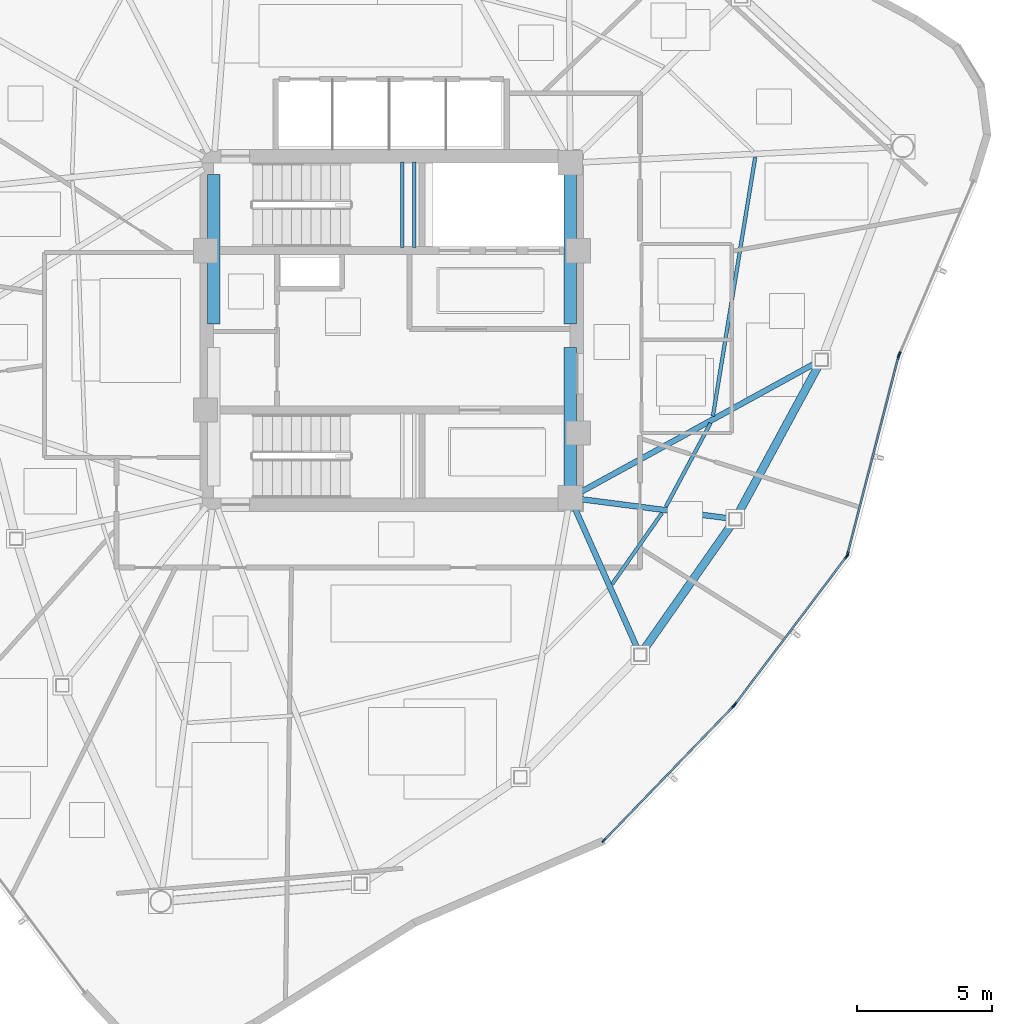
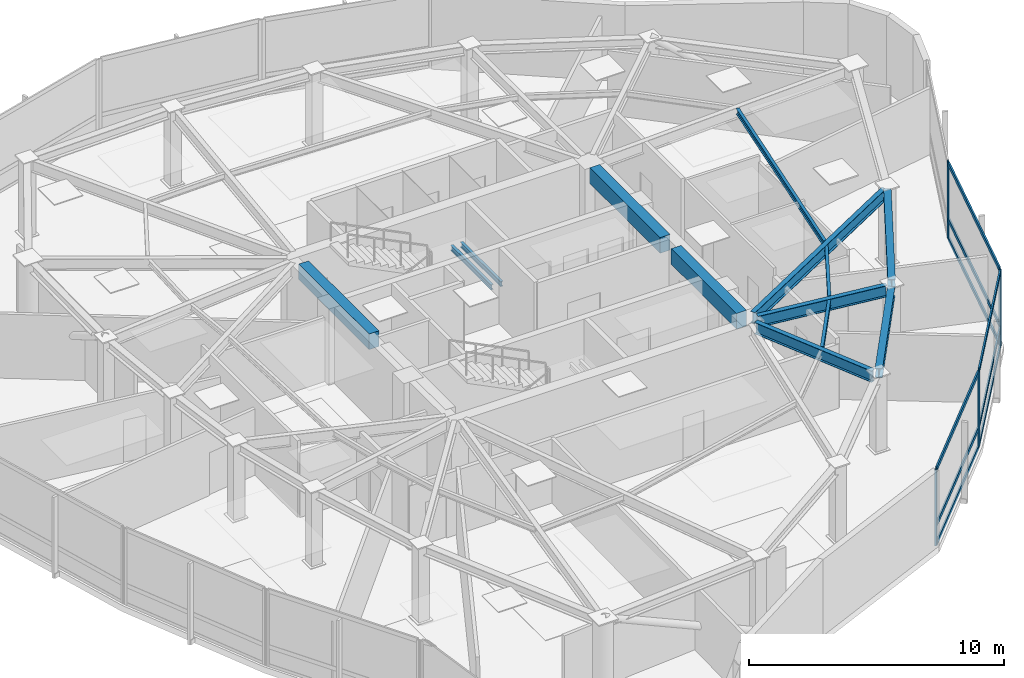
# One storey, part 4 of 14: 16 members, 13 beams, 4 elements without a shape of their own.
"""IFC4 building model written with IfcOpenShell, lengths in metres."""

from ifc_helpers import new_model, si_unit, direction, frame, origin, origin_2d, place, context, subcontext, project, spatial, rectangle, hollow_rectangle, i_section, extrude, source, transform, mapped, material, layer, layer_set, material_profile, profile_set, type_object, type_shapes, element, aggregate, save


model = new_model("IFC4")

# Units and contexts
model_context = context("Model", 3, precision=1e-05, world=origin(), true_north=direction((0.0, 1.0)))
body_context = subcontext(model_context, "Body", "Model", "MODEL_VIEW")
ifc_project = project(units=[si_unit("LENGTHUNIT", "METRE"), si_unit("AREAUNIT", "SQUARE_METRE"), si_unit("VOLUMEUNIT", "CUBIC_METRE"), si_unit("PLANEANGLEUNIT", "RADIAN"), si_unit("MASSUNIT", "GRAM", prefix="KILO")], contexts=[model_context])

# Site, building, storey
site_placement = place(None, origin())
site = spatial("IfcSite", under=ifc_project, at=site_placement, CompositionType="ELEMENT")
building_placement = place(site_placement, origin())
building = spatial("IfcBuilding", under=site, at=building_placement, Name="Tavelor Broadcast Tower", CompositionType="ELEMENT")
storey_placement = place(building_placement, frame((0.0, 0.0, 249.800048828125)))
storey = spatial("IfcBuildingStorey", under=building, at=storey_placement, Name="L59", CompositionType="ELEMENT", Elevation=249.800048828125)

# Beams
ifc_material_1 = material(Name="Concrete C40/50", Category="concrete")
ifc_material_profile_1 = material_profile(ifc_material_1, rectangle(XDim=0.449951171875, YDim=0.75, at=origin_2d()), Name="RC 450x750")
ifc_profile_set_1 = profile_set([ifc_material_profile_1], Name="Concrete C40/50")
beam_type_1 = type_object("IfcBeamType", Name="Basement Core Trim Beam 450x750", PredefinedType="BEAM", material=ifc_profile_set_1)
for number, where, z_axis, x_axis, name in (
    (1, (43.39990234375, 45.23193359375, 3.27490234375), (0.0, 1.0, 0.0), (-1.0, 0.0, 0.0), "L59 Core West-N Tie Girder"),
    (2, (56.60009765625, 45.23193359375, 3.27490234375), (0.0, 1.0, 0.0), (-1.0, 0.0, 0.0), "L59 Core East-N Tie Girder"),
):
    element("IfcBeam", number, at=place(storey_placement, frame(where, z_axis=z_axis, x_axis=x_axis)), inside=storey, type_object=beam_type_1, Name=name, PredefinedType="BEAM", context=body_context, shape_type="SweptSolid", body=[
        extrude(rectangle(XDim=0.449951171875, YDim=0.75, at=origin_2d()), origin(), (0.0, 0.0, 1.0), 5.5361328125),
    ])
beam_1_placement = place(storey_placement, frame((56.60009765625, 39.23193359375, 3.27490234375), z_axis=(0.0, 1.0, 0.0), x_axis=(-1.0, 0.0, 0.0)))
element("IfcBeam", 3, at=beam_1_placement, inside=storey, type_object=beam_type_1, Name="L59 Core East-S Tie Girder", PredefinedType="BEAM", context=body_context, shape_type="SweptSolid", body=[
    extrude(rectangle(XDim=0.449951171875, YDim=0.75, at=origin_2d()), origin(), (0.0, 0.0, 1.0), 5.135986328125),
])
ifc_material_2 = material(Name="Steel S355", Category="steel")
ifc_material_profile_2 = material_profile(ifc_material_2, i_section(OverallWidth=0.135009765625, OverallDepth=0.27001953125, WebThickness=0.006591796875, FlangeThickness=0.01025390625, at=origin_2d()), Name="IPE 270")
ifc_profile_set_2 = profile_set([ifc_material_profile_2], Name="Steel S355")
beam_type_2 = type_object("IfcBeamType", Name="Composite Floor Joist T6 IPE 270", PredefinedType="JOIST", material=ifc_profile_set_2)
beam_2_placement = place(storey_placement, frame((58.151611328125, 35.603759765625, 3.514892578125), z_axis=(0.574144058432, 0.818754297801, 0.0), x_axis=(-0.818754297801, 0.574144058432, 0.0)))
element("IfcBeam", 4, at=beam_2_placement, inside=storey, type_object=beam_type_2, Name="L59 Secondary Composite Floor Joist 10", PredefinedType="JOIST", context=body_context, shape_type="SweptSolid", body=[
    extrude(i_section(OverallWidth=0.135009765625, OverallDepth=0.27001953125, WebThickness=0.006591796875, FlangeThickness=0.01025390625, at=origin_2d()), origin(), (0.0, 0.0, 1.0), 3.2197265625),
])
beam_3_placement = place(storey_placement, frame((60.140625, 38.46826171875, 3.514892578125), z_axis=(0.471240390591, 0.882004815336, 0.0), x_axis=(-0.882004815336, 0.471240390591, 0.0)))
element("IfcBeam", 5, at=beam_3_placement, inside=storey, type_object=beam_type_2, Name="L59 Secondary Composite Floor Joist 11", PredefinedType="JOIST", context=body_context, shape_type="SweptSolid", body=[
    extrude(i_section(OverallWidth=0.135009765625, OverallDepth=0.27001953125, WebThickness=0.006591796875, FlangeThickness=0.01025390625, at=origin_2d()), origin(), (0.0, 0.0, 1.0), 3.51611328125),
])
beam_4_placement = place(storey_placement, frame((61.882568359375, 41.820556640625, 3.514892578125), z_axis=(0.161347849281, 0.986897599314, 0.0), x_axis=(-0.986897599314, 0.161347849281, 0.0)))
element("IfcBeam", 6, at=beam_4_placement, inside=storey, type_object=beam_type_2, Name="L59 Secondary Composite Floor Joist 12", PredefinedType="JOIST", context=body_context, shape_type="SweptSolid", body=[
    extrude(i_section(OverallWidth=0.135009765625, OverallDepth=0.27001953125, WebThickness=0.006591796875, FlangeThickness=0.01025390625, at=origin_2d()), origin(), (0.0, 0.0, 1.0), 9.708251953125),
])
ifc_material_profile_3 = material_profile(ifc_material_2, i_section(OverallWidth=0.300048828125, OverallDepth=0.449951171875, WebThickness=0.013916015625, FlangeThickness=0.02587890625, at=origin_2d()), Name="HEB 450")
ifc_profile_set_3 = profile_set([ifc_material_profile_3], Name="Steel S355")
beam_type_3 = type_object("IfcBeamType", Name="Perimeter Spandrel Beam T6 HEB 450", PredefinedType="SPANDREL", material=ifc_profile_set_3)
beam_5_placement = place(storey_placement, frame((59.330078125, 33.18359375, 3.425048828125), z_axis=(0.57381017658, 0.81898832791, 0.0), x_axis=(-0.81898832791, 0.57381017658, 0.0)))
element("IfcBeam", 7, at=beam_5_placement, inside=storey, type_object=beam_type_3, Name="L59 Framed-Tube Ring Spandrel 10", PredefinedType="SPANDREL", context=body_context, shape_type="SweptSolid", body=[
    extrude(i_section(OverallWidth=0.300048828125, OverallDepth=0.449951171875, WebThickness=0.013916015625, FlangeThickness=0.02587890625, at=origin_2d()), origin(), (0.0, 0.0, 1.0), 5.652099609375),
])
beam_6_placement = place(storey_placement, frame((62.8251953125, 38.22021484375, 3.425048828125), z_axis=(0.47632985399, 0.879266666147, 0.0), x_axis=(-0.879266666147, 0.47632985399, 0.0)))
element("IfcBeam", 8, at=beam_6_placement, inside=storey, type_object=beam_type_3, Name="L59 Framed-Tube Ring Spandrel 11", PredefinedType="SPANDREL", context=body_context, shape_type="SweptSolid", body=[
    extrude(i_section(OverallWidth=0.300048828125, OverallDepth=0.449951171875, WebThickness=0.013916015625, FlangeThickness=0.02587890625, at=origin_2d()), origin(), (0.0, 0.0, 1.0), 6.23046875),
])
ifc_material_profile_4 = material_profile(ifc_material_2, i_section(OverallWidth=0.2099609375, OverallDepth=0.550048828125, WebThickness=0.010986328125, FlangeThickness=0.01708984375, at=origin_2d()), Name="IPE 550")
ifc_profile_set_4 = profile_set([ifc_material_profile_4], Name="Steel S355")
beam_type_4 = type_object("IfcBeamType", Name="Radial Floor Girder T6 IPE 550", PredefinedType="BEAM", material=ifc_profile_set_4)
beam_7_placement = place(storey_placement, frame((56.77587890625, 38.405517578125, 3.375), z_axis=(0.407288107578, -0.913299730333, 0.0), x_axis=(0.913299730333, 0.407288107578, 0.0)))
element("IfcBeam", 9, at=beam_7_placement, inside=storey, type_object=beam_type_4, Name="L59 Radial Primary Floor Girder 10", PredefinedType="BEAM", context=body_context, shape_type="SweptSolid", body=[
    extrude(i_section(OverallWidth=0.2099609375, OverallDepth=0.550048828125, WebThickness=0.010986328125, FlangeThickness=0.01708984375, at=origin_2d()), origin(), (0.0, 0.0, 1.0), 5.69287109375),
])
beam_8_placement = place(storey_placement, frame((57.0283203125, 38.74462890625, 3.375), z_axis=(0.991724434726, -0.128384755977, 0.0), x_axis=(0.128384755977, 0.991724434726, 0.0)))
element("IfcBeam", 10, at=beam_8_placement, inside=storey, type_object=beam_type_4, Name="L59 Radial Primary Floor Girder 11", PredefinedType="BEAM", context=body_context, shape_type="SweptSolid", body=[
    extrude(i_section(OverallWidth=0.2099609375, OverallDepth=0.550048828125, WebThickness=0.010986328125, FlangeThickness=0.01708984375, at=origin_2d()), origin(), (0.0, 0.0, 1.0), 5.489990234375),
])
beam_9_placement = place(storey_placement, frame((56.978759765625, 39.0078125, 3.375), z_axis=(0.876588297322, 0.481241059136, 0.0), x_axis=(-0.481241059136, 0.876588297322, 0.0)))
element("IfcBeam", 11, at=beam_9_placement, inside=storey, type_object=beam_type_4, Name="L59 Radial Primary Floor Girder 12", PredefinedType="BEAM", context=body_context, shape_type="SweptSolid", body=[
    extrude(i_section(OverallWidth=0.2099609375, OverallDepth=0.550048828125, WebThickness=0.010986328125, FlangeThickness=0.01708984375, at=origin_2d()), origin(), (0.0, 0.0, 1.0), 9.9453125),
])
ifc_material_profile_5 = material_profile(ifc_material_2, i_section(OverallWidth=0.1201171875, OverallDepth=0.239990234375, WebThickness=0.006103515625, FlangeThickness=0.009765625, at=origin_2d()), Name="IPE 240")
ifc_profile_set_5 = profile_set([ifc_material_profile_5], Name="Steel S355")
beam_type_5 = type_object("IfcBeamType", Name="Stairwell Landing Support Trimmer Beam IPE240", PredefinedType="BEAM", material=ifc_profile_set_5)
for number, where, z_axis, x_axis, name in (
    (12, (50.385009765625, 48.06005859375, 1.659912109375), (0.0, 1.0, 0.0), (-1.0, 0.0, 0.0), "L59 Stair Landing Support Beam 159"),
    (13, (50.824951171875, 48.06005859375, 1.659912109375), (0.0, 1.0, 0.0), (-1.0, 0.0, 0.0), "L59 Stair Landing Support Beam 160"),
):
    element("IfcBeam", number, at=place(storey_placement, frame(where, z_axis=z_axis, x_axis=x_axis)), inside=storey, type_object=beam_type_5, Name=name, PredefinedType="BEAM", context=body_context, shape_type="SweptSolid", body=[
        extrude(i_section(OverallWidth=0.1201171875, OverallDepth=0.239990234375, WebThickness=0.006103515625, FlangeThickness=0.009765625, at=origin_2d()), origin(), (0.0, 0.0, 1.0), 3.179931640625),
    ])

# Curtain wall, members
ifc_material_3 = material(Name="Architectural Anodized Aluminium", Category="aluminium")
ifc_layer = layer(ifc_material_3, 0.199951171875)
ifc_layer_set = layer_set([ifc_layer], Name="Architectural Anodized Aluminium")
curtain_wall_type = type_object("IfcCurtainWallType", Name="Tower High-Zone Triple-Glazed Curtain Wall CW04", PredefinedType="NOTDEFINED", material=ifc_layer_set)
curtain_wall_1_placement = place(storey_placement, origin())
curtain_wall_1 = element("IfcCurtainWall", 14, at=curtain_wall_1_placement, inside=storey, type_object=curtain_wall_type, Name="L59 Curtain Wall CW04 Run 641", PredefinedType="NOTDEFINED")
ifc_material_profile_6 = material_profile(ifc_material_3, hollow_rectangle(XDim=0.070068359375, YDim=0.199951171875, WallThickness=0.02197265625, at=origin_2d()), Name="RHS 70x200x22")
ifc_profile_set_6 = profile_set([ifc_material_profile_6], Name="Architectural Anodized Aluminium")
member_type_1 = type_object("IfcMemberType", Name="CW04 Extruded Aluminium Mullion 70x200", PredefinedType="MULLION", material=ifc_profile_set_6)
shared_shape_1 = source(origin(), body_context, "Body", "SweptSolid", [
    extrude(hollow_rectangle(XDim=0.070068359375, YDim=0.199951171875, WallThickness=0.02197265625, at=origin_2d()), origin(), (0.0, 0.0, 1.0), 3.64990234375),
])
type_shapes(member_type_1, [shared_shape_1])
member_1_placement = place(storey_placement, frame((57.855712890625, 26.120849609375, 0.0), z_axis=(0.0, 0.0, 1.0), x_axis=(-0.719650374149, 0.694336617922, 0.0)))
member_1 = element("IfcMember", 15, at=member_1_placement, type_object=member_type_1, Name="CW04 mullion 1", PredefinedType="MULLION", context=body_context, shape_type="MappedRepresentation", body=[
    mapped(shared_shape_1, transform((0.0, 0.0, 0.0), scale=1.0)),
])
member_2_placement = place(storey_placement, frame((62.6318359375, 31.071044921875, 0.0), z_axis=(0.0, 0.0, 1.0), x_axis=(-0.719650374149, 0.694336617922, 0.0)))
member_2 = element("IfcMember", 16, at=member_2_placement, type_object=member_type_1, Name="CW04 mullion 2", PredefinedType="MULLION", context=body_context, shape_type="MappedRepresentation", body=[
    mapped(shared_shape_1, transform((0.0, 0.0, 0.0), scale=1.0)),
])

curtain_wall_2_placement = place(storey_placement, origin())
curtain_wall_2 = element("IfcCurtainWall", 17, at=curtain_wall_2_placement, inside=storey, type_object=curtain_wall_type, Name="L59 Curtain Wall CW04 Run 642", PredefinedType="NOTDEFINED")
member_3_placement = place(storey_placement, frame((62.69677734375, 31.14697265625, 0.0), z_axis=(0.0, 0.0, 1.0), x_axis=(-0.79837543431, 0.602160000241, 0.0)))
member_3 = element("IfcMember", 18, at=member_3_placement, type_object=member_type_1, Name="CW04 mullion 1", PredefinedType="MULLION", context=body_context, shape_type="MappedRepresentation", body=[
    mapped(shared_shape_1, transform((0.0, 0.0, 0.0), scale=1.0)),
])
member_4_placement = place(storey_placement, frame((66.829833984375, 36.626953125, 0.0), z_axis=(0.0, 0.0, 1.0), x_axis=(-0.79837543431, 0.602160000241, 0.0)))
member_4 = element("IfcMember", 19, at=member_4_placement, type_object=member_type_1, Name="CW04 mullion 2", PredefinedType="MULLION", context=body_context, shape_type="MappedRepresentation", body=[
    mapped(shared_shape_1, transform((0.0, 0.0, 0.0), scale=1.0)),
])

curtain_wall_3_placement = place(storey_placement, origin())
curtain_wall_3 = element("IfcCurtainWall", 20, at=curtain_wall_3_placement, inside=storey, type_object=curtain_wall_type, Name="L59 Curtain Wall CW04 Run 643", PredefinedType="NOTDEFINED")
member_5_placement = place(storey_placement, frame((66.872314453125, 36.715087890625, 0.0), z_axis=(0.0, 0.0, 1.0), x_axis=(-0.968409276306, 0.249366143581, 0.0)))
member_5 = element("IfcMember", 21, at=member_5_placement, type_object=member_type_1, Name="CW04 mullion 1", PredefinedType="MULLION", context=body_context, shape_type="MappedRepresentation", body=[
    mapped(shared_shape_1, transform((0.0, 0.0, 0.0), scale=1.0)),
])
member_6_placement = place(storey_placement, frame((68.754150390625, 44.023193359375, 0.0), z_axis=(0.0, 0.0, 1.0), x_axis=(-0.968409276306, 0.249366143581, 0.0)))
member_6 = element("IfcMember", 22, at=member_6_placement, type_object=member_type_1, Name="CW04 mullion 2", PredefinedType="MULLION", context=body_context, shape_type="MappedRepresentation", body=[
    mapped(shared_shape_1, transform((0.0, 0.0, 0.0), scale=1.0)),
])

# Curtain wall, member
curtain_wall_4_placement = place(storey_placement, origin())
curtain_wall_4 = element("IfcCurtainWall", 23, at=curtain_wall_4_placement, inside=storey, type_object=curtain_wall_type, Name="L59 Curtain Wall CW04 Run 644", PredefinedType="NOTDEFINED")
member_7_placement = place(storey_placement, frame((68.7861328125, 44.11767578125, 0.0), z_axis=(0.0, 0.0, 1.0), x_axis=(-0.919656434034, 0.392723876712, 0.0)))
member_7 = element("IfcMember", 24, at=member_7_placement, type_object=member_type_1, Name="CW04 mullion 1", PredefinedType="MULLION", context=body_context, shape_type="MappedRepresentation", body=[
    mapped(shared_shape_1, transform((0.0, 0.0, 0.0), scale=1.0)),
])
aggregate(curtain_wall_4, [member_7])

# Member
ifc_material_profile_7 = material_profile(ifc_material_3, hollow_rectangle(XDim=0.070068359375, YDim=0.199951171875, WallThickness=0.02197265625, at=origin_2d()), Name="RHS 70x200x22")
ifc_profile_set_7 = profile_set([ifc_material_profile_7], Name="Architectural Anodized Aluminium")
member_type_2 = type_object("IfcMemberType", Name="CW04 Extruded Aluminium Transom 70x200", PredefinedType="USERDEFINED", material=ifc_profile_set_7)
shared_shape_2 = source(origin(), body_context, "Body", "SweptSolid", [
    extrude(hollow_rectangle(XDim=0.070068359375, YDim=0.199951171875, WallThickness=0.02197265625, at=origin_2d()), origin(), (0.0, 0.0, 1.0), 6.808837890625),
])
member_8_placement = place(storey_placement, frame((57.8798828125, 26.14599609375, 0.034912109375), z_axis=(0.694335945025, 0.719651023376, 0.0), x_axis=(-0.719651023376, 0.694335945025, 0.0)))
member_8 = element("IfcMember", 25, at=member_8_placement, type_object=member_type_2, Name="CW04 transom 1.1", ObjectType="TRANSOM", PredefinedType="USERDEFINED", context=body_context, shape_type="MappedRepresentation", body=[
    mapped(shared_shape_2, transform((0.0, 0.0, 0.0), scale=1.0)),
])

member_9_placement = place(storey_placement, frame((57.8798828125, 26.14599609375, 0.949951171875), z_axis=(0.694335945025, 0.719651023376, 0.0), x_axis=(-0.719651023376, 0.694335945025, 0.0)))
member_9 = element("IfcMember", 26, at=member_9_placement, type_object=member_type_2, Name="CW04 transom 1.2", ObjectType="TRANSOM", PredefinedType="USERDEFINED", context=body_context, shape_type="MappedRepresentation", body=[
    mapped(shared_shape_2, transform((0.0, 0.0, 0.0), scale=1.0)),
])

member_10_placement = place(storey_placement, frame((57.8798828125, 26.14599609375, 3.614990234375), z_axis=(0.694335945025, 0.719651023376, 0.0), x_axis=(-0.719651023376, 0.694335945025, 0.0)))
member_10 = element("IfcMember", 27, at=member_10_placement, type_object=member_type_2, Name="CW04 transom 1.3", ObjectType="TRANSOM", PredefinedType="USERDEFINED", context=body_context, shape_type="MappedRepresentation", body=[
    mapped(shared_shape_2, transform((0.0, 0.0, 0.0), scale=1.0)),
])

aggregate(curtain_wall_1, [member_1, member_2, member_8, member_9, member_10])

shared_shape_3 = source(origin(), body_context, "Body", "SweptSolid", [
    extrude(hollow_rectangle(XDim=0.070068359375, YDim=0.199951171875, WallThickness=0.02197265625, at=origin_2d()), origin(), (0.0, 0.0, 1.0), 6.793701171875),
])
member_11_placement = place(storey_placement, frame((62.7177734375, 31.175048828125, 0.034912109375), z_axis=(0.602159776792, 0.798375602842, 0.0), x_axis=(-0.798375602842, 0.602159776792, 0.0)))
member_11 = element("IfcMember", 28, at=member_11_placement, type_object=member_type_2, Name="CW04 transom 1.1", ObjectType="TRANSOM", PredefinedType="USERDEFINED", context=body_context, shape_type="MappedRepresentation", body=[
    mapped(shared_shape_3, transform((0.0, 0.0, 0.0), scale=1.0)),
])

member_12_placement = place(storey_placement, frame((62.7177734375, 31.175048828125, 0.949951171875), z_axis=(0.602159776792, 0.798375602842, 0.0), x_axis=(-0.798375602842, 0.602159776792, 0.0)))
member_12 = element("IfcMember", 29, at=member_12_placement, type_object=member_type_2, Name="CW04 transom 1.2", ObjectType="TRANSOM", PredefinedType="USERDEFINED", context=body_context, shape_type="MappedRepresentation", body=[
    mapped(shared_shape_3, transform((0.0, 0.0, 0.0), scale=1.0)),
])

member_13_placement = place(storey_placement, frame((62.7177734375, 31.175048828125, 3.614990234375), z_axis=(0.602159776792, 0.798375602842, 0.0), x_axis=(-0.798375602842, 0.602159776792, 0.0)))
member_13 = element("IfcMember", 30, at=member_13_placement, type_object=member_type_2, Name="CW04 transom 1.3", ObjectType="TRANSOM", PredefinedType="USERDEFINED", context=body_context, shape_type="MappedRepresentation", body=[
    mapped(shared_shape_3, transform((0.0, 0.0, 0.0), scale=1.0)),
])

aggregate(curtain_wall_2, [member_3, member_4, member_11, member_12, member_13])

shared_shape_4 = source(origin(), body_context, "Body", "SweptSolid", [
    extrude(hollow_rectangle(XDim=0.070068359375, YDim=0.199951171875, WallThickness=0.02197265625, at=origin_2d()), origin(), (0.0, 0.0, 1.0), 7.476806640625),
])
type_shapes(member_type_2, [shared_shape_2, shared_shape_3, shared_shape_4])
member_14_placement = place(storey_placement, frame((66.880859375, 36.7490234375, 0.034912109375), z_axis=(0.24937531152, 0.968406915508, 0.0), x_axis=(-0.968406915508, 0.24937531152, 0.0)))
member_14 = element("IfcMember", 31, at=member_14_placement, type_object=member_type_2, Name="CW04 transom 1.1", ObjectType="TRANSOM", PredefinedType="USERDEFINED", context=body_context, shape_type="MappedRepresentation", body=[
    mapped(shared_shape_4, transform((0.0, 0.0, 0.0), scale=1.0)),
])

member_15_placement = place(storey_placement, frame((66.880859375, 36.7490234375, 0.949951171875), z_axis=(0.24937531152, 0.968406915508, 0.0), x_axis=(-0.968406915508, 0.24937531152, 0.0)))
member_15 = element("IfcMember", 32, at=member_15_placement, type_object=member_type_2, Name="CW04 transom 1.2", ObjectType="TRANSOM", PredefinedType="USERDEFINED", context=body_context, shape_type="MappedRepresentation", body=[
    mapped(shared_shape_4, transform((0.0, 0.0, 0.0), scale=1.0)),
])

member_16_placement = place(storey_placement, frame((66.880859375, 36.7490234375, 3.614990234375), z_axis=(0.24937531152, 0.968406915508, 0.0), x_axis=(-0.968406915508, 0.24937531152, 0.0)))
member_16 = element("IfcMember", 33, at=member_16_placement, type_object=member_type_2, Name="CW04 transom 1.3", ObjectType="TRANSOM", PredefinedType="USERDEFINED", context=body_context, shape_type="MappedRepresentation", body=[
    mapped(shared_shape_4, transform((0.0, 0.0, 0.0), scale=1.0)),
])

aggregate(curtain_wall_3, [member_5, member_6, member_14, member_15, member_16])

save(model, "model.ifc")
